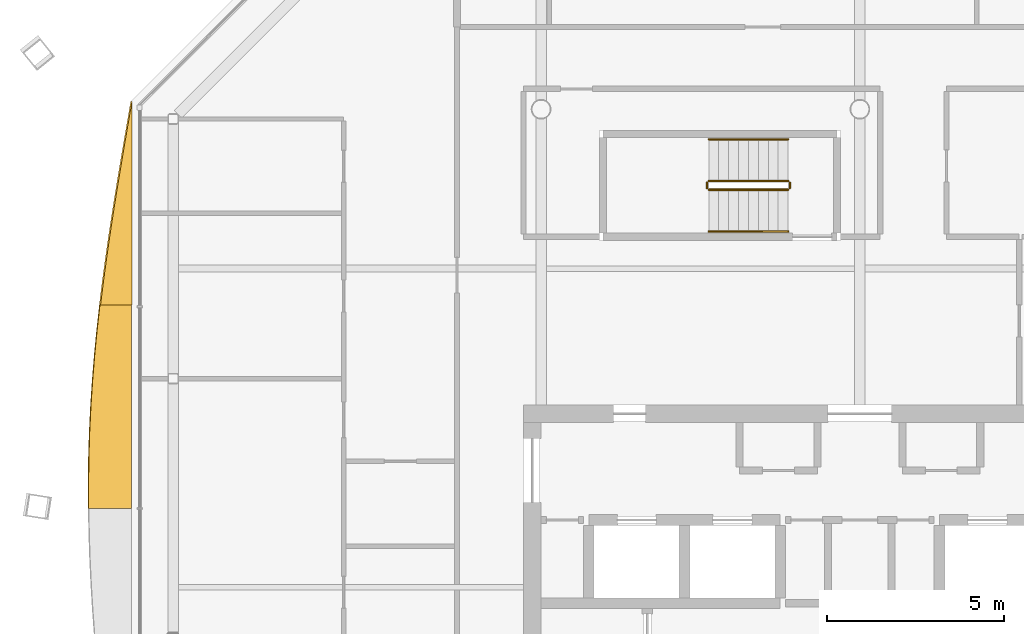
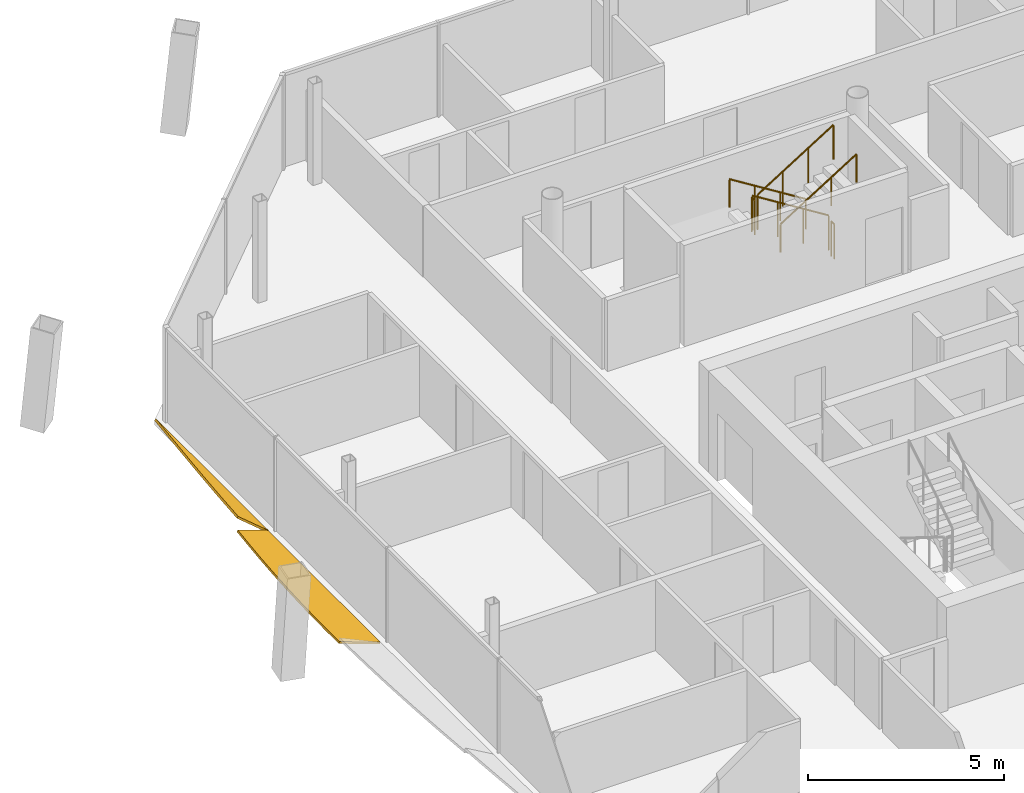
# One storey, part 15 of 16: 6 railings, 2 shading devices.
"""IFC4 building model written with IfcOpenShell, lengths in metres."""

from ifc_helpers import new_model, si_unit, direction, frame, origin, origin_2d, place, context, subcontext, project, spatial, polyline, circle, outline, extrude, material, layer, layer_set, type_object, element, save


model = new_model("IFC4")

# Units and contexts
model_context = context("Model", 3, precision=1e-05, world=origin(), true_north=direction((0.0, 1.0)))
body_context = subcontext(model_context, "Body", "Model", "MODEL_VIEW")
ifc_project = project(units=[si_unit("LENGTHUNIT", "METRE"), si_unit("AREAUNIT", "SQUARE_METRE"), si_unit("VOLUMEUNIT", "CUBIC_METRE"), si_unit("PLANEANGLEUNIT", "RADIAN"), si_unit("MASSUNIT", "GRAM", prefix="KILO")], contexts=[model_context])

# Site, building, storey
site_placement = place(None, origin())
site = spatial("IfcSite", under=ifc_project, at=site_placement, CompositionType="ELEMENT")
building_placement = place(site_placement, origin())
building = spatial("IfcBuilding", under=site, at=building_placement, Name="Tskaro Facet Tower", CompositionType="ELEMENT")
storey_placement = place(building_placement, frame((0.0, 0.0, 248.699951171875)))
storey = spatial("IfcBuildingStorey", under=building, at=storey_placement, Name="L65", CompositionType="ELEMENT", Elevation=248.699951171875)

# Shading devices
ifc_material_1 = material(Name="Bronze anodised aluminium 6063-T6", Category="aluminium")
ifc_layer = layer(ifc_material_1, 0.06005859375, Name="Bronze anodised aluminium 6063-T6")
ifc_layer_set = layer_set([ifc_layer], Name="Bronze anodised aluminium 6063-T6")
shading_device_type = type_object("IfcShadingDeviceType", Name="Bronze sun blade (FN1)", PredefinedType="USERDEFINED", material=ifc_layer_set)
shading_device_1_placement = place(storey_placement, frame((-20.552490234375, 9.221923828125, 0.0458984375), z_axis=(0.642946200067, -8.11372e-06, 0.765911341967), x_axis=(-5.216686e-06, -0.999999999967, -6.21439e-06)))
element("IfcShadingDevice", 1, at=shading_device_1_placement, inside=storey, type_object=shading_device_type, Name="Fin blade west 1", ObjectType="FIN", PredefinedType="USERDEFINED", context=body_context, shape_type="SweptSolid", body=[
    extrude(outline(polyline([(0.0, 0.0), (5.746582031060845, 4.867544314568291e-21), (5.7465820314391305, -1.1589661724005058), (5.028320312105645, -1.0426821936275306), (4.3100585937115445, -0.9151444836601292), (3.5915527344139324, -0.7780728393025989), (2.8732910160056604, -0.6326861287112464), (2.1550292968874123, -0.48036018932950975), (1.4365234377635065, -0.32318879810914325), (0.7182617176360001, -0.16236080241985587), (0.0, 0.0)])), origin(), (0.0, 0.0, -1.0), 0.06005859375),
])
shading_device_2_placement = place(storey_placement, frame((-20.570556640625, 3.475341796875, 0.056396484375), z_axis=(0.342097569212, -2.0830415e-05, 0.939664436225), x_axis=(-7.126034e-06, -0.999999999783, -1.9573601e-05)))
element("IfcShadingDevice", 2, at=shading_device_2_placement, inside=storey, type_object=shading_device_type, Name="Fin blade west 2", ObjectType="FIN", PredefinedType="USERDEFINED", context=body_context, shape_type="SweptSolid", body=[
    extrude(outline(polyline([(0.0, 0.0), (5.746826170628208, 9.735502219442859e-21), (5.746826174192186, -1.2829131638406226), (5.195068358795392, -1.286083686566104), (5.02856445084176, -1.2858542763033043), (4.310058592413926, -1.275967407515636), (3.59179687319956, -1.2523349164264177), (2.8735351560532245, -1.2154156235612499), (2.1550292973110157, -1.1655224590973083), (1.4367675786633796, -1.1034271737373698), (0.7185058581861679, -1.0296721079214102), (-1.2660575360629072e-09, -0.9447160821750297), (0.0, 0.0)])), origin(), (0.0, 0.0, -1.0), 0.06005859375),
])

# Railings
ifc_material_2 = material(Name="Stainless steel", Category="steel")
railing_type_1 = type_object("IfcRailingType", Name="RL-GUARD-1100", PredefinedType="GUARDRAIL", material=ifc_material_2)
railing_1_placement = place(storey_placement, frame((-2.02490234375, 6.97509765625, 0.175048828125)))
element("IfcRailing", 3, at=railing_1_placement, inside=storey, type_object=railing_type_1, Name="L65 ST-3 stair guard 1", PredefinedType="GUARDRAIL", context=body_context, shape_type="SweptSolid", body=[
    extrude(circle(Radius=0.02392578125, at=origin_2d()), frame((0.0, 0.0, 1.076171875), z_axis=(-0.848013881152, 0.0, 0.529974015752), x_axis=(0.0, -1.0, 0.0)), (0.0, 0.0, 1.0), 2.641357421875),
    extrude(circle(Radius=0.02099609375, at=origin_2d()), origin(), (0.0, 0.0, 1.0), 1.052001953125),
    extrude(circle(Radius=0.02099609375, at=origin_2d()), frame((-0.74658203125, 0.0, 0.466552734375)), (0.0, 0.0, 1.0), 1.052001953125),
    extrude(circle(Radius=0.02099609375, at=origin_2d()), frame((-1.493408203125, 0.0, 0.933349609375)), (0.0, 0.0, 1.0), 1.052001953125),
    extrude(circle(Radius=0.02099609375, at=origin_2d()), frame((-2.239990234375, 0.0, 1.39990234375)), (0.0, 0.0, 1.0), 1.052001953125),
])
railing_2_placement = place(storey_placement, frame((-4.31494140625, 6.925048828125, 1.574951171875)))
element("IfcRailing", 4, at=railing_2_placement, inside=storey, type_object=railing_type_1, Name="L65 ST-3 stair guard 2", PredefinedType="GUARDRAIL", context=body_context, shape_type="SweptSolid", body=[
    extrude(circle(Radius=0.02392578125, at=origin_2d()), frame((0.0, 0.0, 1.076171875), z_axis=(0.0, -1.0, 0.0), x_axis=(1.0, 0.0, 0.0)), (0.0, 0.0, 1.0), 0.150146484375),
    extrude(circle(Radius=0.02099609375, at=origin_2d()), origin(), (0.0, 0.0, 1.0), 1.052001953125),
    extrude(circle(Radius=0.02099609375, at=origin_2d()), frame((0.0, -0.150146484375, 0.0)), (0.0, 0.0, 1.0), 1.052001953125),
])
railing_3_placement = place(storey_placement, frame((-4.264892578125, 6.72509765625, 1.75)))
element("IfcRailing", 5, at=railing_3_placement, inside=storey, type_object=railing_type_1, Name="L65 ST-3 stair guard 3", PredefinedType="GUARDRAIL", context=body_context, shape_type="SweptSolid", body=[
    extrude(circle(Radius=0.02392578125, at=origin_2d()), frame((0.0, 0.0, 1.076171875), z_axis=(0.847972341737, 0.0, 0.530040477369), x_axis=(0.0, 1.0, 0.0)), (0.0, 0.0, 1.0), 2.6416015625),
    extrude(circle(Radius=0.02099609375, at=origin_2d()), origin(), (0.0, 0.0, 1.0), 1.052001953125),
    extrude(circle(Radius=0.02099609375, at=origin_2d()), frame((0.74658203125, 0.0, 0.466796875)), (0.0, 0.0, 1.0), 1.052001953125),
    extrude(circle(Radius=0.02099609375, at=origin_2d()), frame((1.493408203125, 0.0, 0.933349609375)), (0.0, 0.0, 1.0), 1.052001953125),
    extrude(circle(Radius=0.02099609375, at=origin_2d()), frame((2.239990234375, 0.0, 1.400146484375)), (0.0, 0.0, 1.0), 1.052001953125),
])
railing_4_placement = place(storey_placement, frame((-1.97509765625, 6.925048828125, 0.0)))
element("IfcRailing", 6, at=railing_4_placement, inside=storey, type_object=railing_type_1, Name="L65 ST-3 stair guard 4", PredefinedType="GUARDRAIL", context=body_context, shape_type="SweptSolid", body=[
    extrude(circle(Radius=0.02392578125, at=origin_2d()), frame((0.0, 0.0, 1.076171875), z_axis=(0.0, -1.0, 0.0), x_axis=(1.0, 0.0, 0.0)), (0.0, 0.0, 1.0), 0.150146484375),
    extrude(circle(Radius=0.02099609375, at=origin_2d()), origin(), (0.0, 0.0, 1.0), 1.052001953125),
    extrude(circle(Radius=0.02099609375, at=origin_2d()), frame((0.0, -0.150146484375, 0.0)), (0.0, 0.0, 1.0), 1.052001953125),
])
railing_type_2 = type_object("IfcRailingType", Name="RL-HANDRAIL-900", PredefinedType="HANDRAIL", material=ifc_material_2)
railing_5_placement = place(storey_placement, frame((-2.02490234375, 8.14990234375, 0.175048828125)))
element("IfcRailing", 7, at=railing_5_placement, inside=storey, type_object=railing_type_2, Name="L65 ST-3 stair handrail 1", PredefinedType="HANDRAIL", context=body_context, shape_type="SweptSolid", body=[
    extrude(circle(Radius=0.02392578125, at=origin_2d()), frame((0.0, 0.0, 0.8759765625), z_axis=(-0.848013881152, 0.0, 0.529974015752), x_axis=(0.0, -1.0, 0.0)), (0.0, 0.0, 1.0), 2.641357421875),
    extrude(circle(Radius=0.02099609375, at=origin_2d()), origin(), (0.0, 0.0, 1.0), 0.851806640625),
    extrude(circle(Radius=0.02099609375, at=origin_2d()), frame((-0.74658203125, 0.0, 0.466552734375)), (0.0, 0.0, 1.0), 0.851806640625),
    extrude(circle(Radius=0.02099609375, at=origin_2d()), frame((-1.493408203125, 0.0, 0.933349609375)), (0.0, 0.0, 1.0), 0.851806640625),
    extrude(circle(Radius=0.02099609375, at=origin_2d()), frame((-2.239990234375, 0.0, 1.39990234375)), (0.0, 0.0, 1.0), 0.851806640625),
])
railing_6_placement = place(storey_placement, frame((-4.264892578125, 5.550048828125, 1.75)))
element("IfcRailing", 8, at=railing_6_placement, inside=storey, type_object=railing_type_2, Name="L65 ST-3 stair handrail 2", PredefinedType="HANDRAIL", context=body_context, shape_type="SweptSolid", body=[
    extrude(circle(Radius=0.02392578125, at=origin_2d()), frame((0.0, 0.0, 0.8759765625), z_axis=(0.847972341737, 0.0, 0.530040477369), x_axis=(0.0, 1.0, 0.0)), (0.0, 0.0, 1.0), 2.6416015625),
    extrude(circle(Radius=0.02099609375, at=origin_2d()), origin(), (0.0, 0.0, 1.0), 0.851806640625),
    extrude(circle(Radius=0.02099609375, at=origin_2d()), frame((0.74658203125, 0.0, 0.466796875)), (0.0, 0.0, 1.0), 0.851806640625),
    extrude(circle(Radius=0.02099609375, at=origin_2d()), frame((1.493408203125, 0.0, 0.933349609375)), (0.0, 0.0, 1.0), 0.851806640625),
    extrude(circle(Radius=0.02099609375, at=origin_2d()), frame((2.239990234375, 0.0, 1.400146484375)), (0.0, 0.0, 1.0), 0.851806640625),
])

save(model, "model.ifc")
